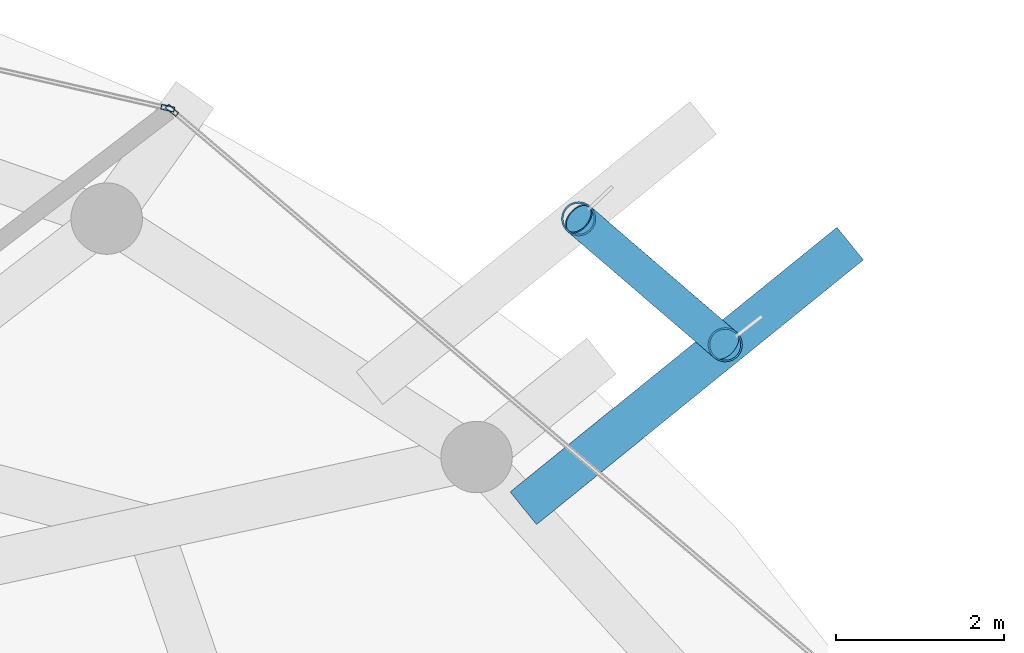
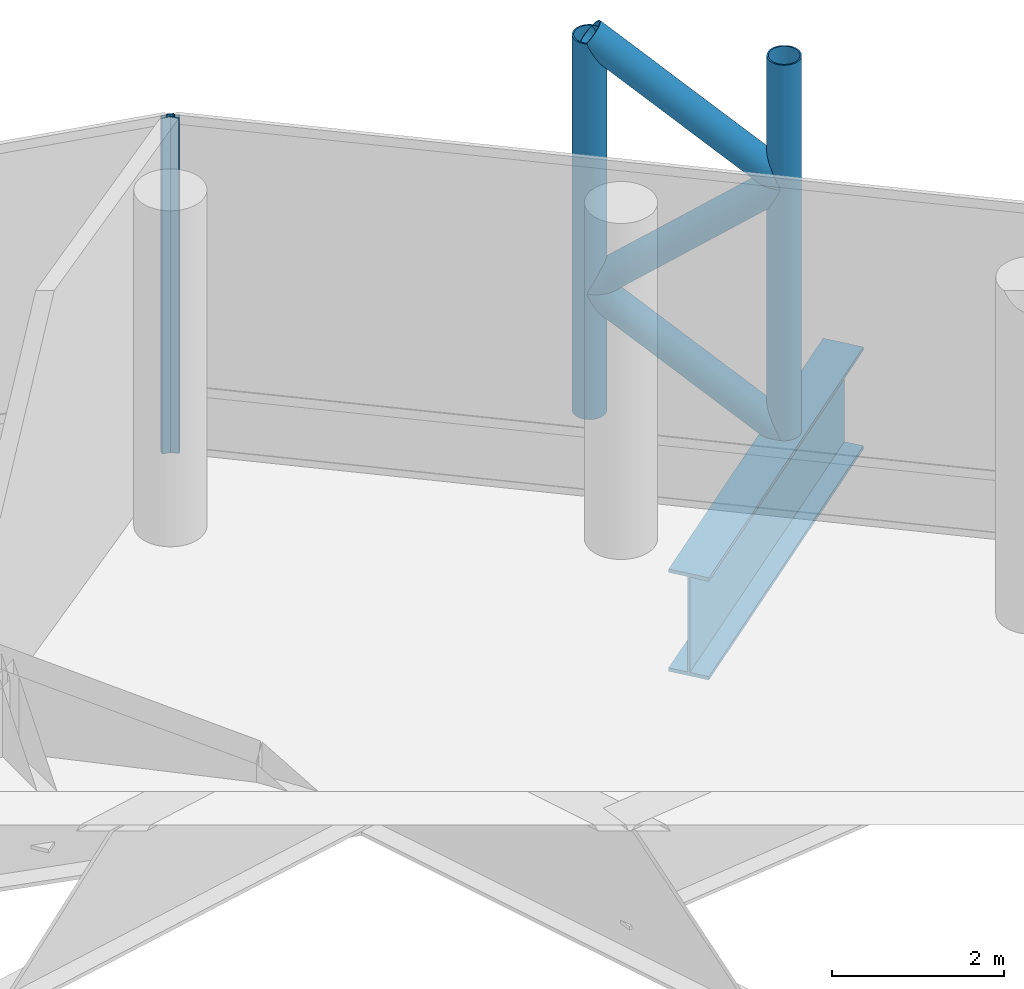
# One storey, part 22 of 31: 7 members, 1 beam, 2 elements without a shape of their own.
"""IFC4 building model written with IfcOpenShell, lengths in metres."""

from ifc_helpers import new_model, si_unit, direction, frame, origin, origin_2d, place, context, subcontext, project, spatial, hollow_rectangle, hollow_circle, i_section, extrude, material, layer, layer_set, material_profile, profile_set, type_object, element, aggregate, save


model = new_model("IFC4")

# Units and contexts
model_context = context("Model", 3, precision=1e-05, world=origin(), true_north=direction((0.0, 1.0)))
body_context = subcontext(model_context, "Body", "Model", "MODEL_VIEW")
ifc_project = project(units=[si_unit("LENGTHUNIT", "METRE"), si_unit("AREAUNIT", "SQUARE_METRE"), si_unit("VOLUMEUNIT", "CUBIC_METRE"), si_unit("PLANEANGLEUNIT", "RADIAN"), si_unit("MASSUNIT", "GRAM", prefix="KILO")], contexts=[model_context])

# Site, building, storey
site_placement = place(None, origin())
site = spatial("IfcSite", under=ifc_project, at=site_placement, CompositionType="ELEMENT")
building_placement = place(site_placement, origin())
building = spatial("IfcBuilding", under=site, at=building_placement, Name="Nuhasar Tower", CompositionType="ELEMENT")
storey_placement = place(building_placement, frame((0.0, 0.0, 203.14990234375)))
storey = spatial("IfcBuildingStorey", under=building, at=storey_placement, Name="L49", CompositionType="ELEMENT", Elevation=203.14990234375)

# Beam
ifc_material_1 = material(Name="Steel S460", Category="steel")
ifc_material_profile_1 = material_profile(ifc_material_1, i_section(OverallWidth=0.5, OverallDepth=1.449951171875, WebThickness=0.028076171875, FlangeThickness=0.050048828125, at=origin_2d()), Name="PG1450X500")
ifc_profile_set_1 = profile_set([ifc_material_profile_1], Name="Steel S460")
beam_type = type_object("IfcBeamType", Name="BM-XFER-PG1450", PredefinedType="USERDEFINED", material=ifc_profile_set_1)
beam_placement = place(storey_placement, frame((54.58203125, 38.81298828125, -1.044921875), z_axis=(0.777171012463, 0.629289454375, 0.0), x_axis=(-0.629289454375, 0.777171012463, 0.0)))
element("IfcBeam", 1, at=beam_placement, inside=storey, type_object=beam_type, Name="L49 Exoskeleton Step Transfer Girder 03", ObjectType="GIRDER", PredefinedType="USERDEFINED", context=body_context, shape_type="SweptSolid", body=[
    extrude(i_section(OverallWidth=0.5, OverallDepth=1.449951171875, WebThickness=0.028076171875, FlangeThickness=0.050048828125, at=origin_2d()), origin(), (0.0, 0.0, 1.0), 5.00390625),
])

# Curtain wall, member
ifc_material_2 = material(Name="Aluminium 6063-T6", Category="aluminium")
ifc_layer = layer(ifc_material_2, 0.239990234375)
ifc_layer_set = layer_set([ifc_layer], Name="Aluminium 6063-T6")
curtain_wall_type = type_object("IfcCurtainWallType", Name="CW-SKY-LBY", PredefinedType="NOTDEFINED", material=ifc_layer_set)
curtain_wall_1_placement = place(storey_placement, origin())
curtain_wall_1 = element("IfcCurtainWall", 2, at=curtain_wall_1_placement, inside=storey, type_object=curtain_wall_type, Name="L49 Unitised Curtain Wall 02", PredefinedType="NOTDEFINED")
ifc_material_profile_2 = material_profile(ifc_material_2, hollow_rectangle(XDim=0.06005859375, YDim=0.159912109375, WallThickness=0.0048828125, at=origin_2d()), Name="CWM-6")
ifc_profile_set_2 = profile_set([ifc_material_profile_2], Name="Aluminium 6063-T6")
member_type_1 = type_object("IfcMemberType", Name="CW-MUL-S6", PredefinedType="MULLION", material=ifc_profile_set_2)
member_1_placement = place(storey_placement, frame((50.40283203125, 43.546630859375, 0.0), z_axis=(0.0, 0.0, 1.0), x_axis=(-0.64789521578, -0.761729472562, 0.0)))
member_1 = element("IfcMember", 3, at=member_1_placement, type_object=member_type_1, Name="CW-SL mullion 2", PredefinedType="MULLION", context=body_context, shape_type="SweptSolid", body=[
    extrude(hollow_rectangle(XDim=0.06005859375, YDim=0.159912109375, WallThickness=0.0048828125, at=origin_2d()), origin(), (0.0, 0.0, 1.0), 4.760009765625),
])
aggregate(curtain_wall_1, [member_1])

curtain_wall_2_placement = place(storey_placement, origin())
curtain_wall_2 = element("IfcCurtainWall", 4, at=curtain_wall_2_placement, inside=storey, type_object=curtain_wall_type, Name="L49 Unitised Curtain Wall 03", PredefinedType="NOTDEFINED")
member_2_placement = place(storey_placement, frame((50.350830078125, 43.57275390625, 0.0), z_axis=(0.0, 0.0, 1.0), x_axis=(-0.222243176313, -0.974991266926, 0.0)))
member_2 = element("IfcMember", 5, at=member_2_placement, type_object=member_type_1, Name="CW-SL mullion 1", PredefinedType="MULLION", context=body_context, shape_type="SweptSolid", body=[
    extrude(hollow_rectangle(XDim=0.06005859375, YDim=0.159912109375, WallThickness=0.0048828125, at=origin_2d()), origin(), (0.0, 0.0, 1.0), 4.760009765625),
])
aggregate(curtain_wall_2, [member_2])

# Members
ifc_material_profile_3 = material_profile(ifc_material_1, hollow_circle(Radius=0.203125, WallThickness=0.01904296875, at=origin_2d()), Name="HSS406.4X19.1")
ifc_profile_set_3 = profile_set([ifc_material_profile_3], Name="Steel S460")
member_type_2 = type_object("IfcMemberType", Name="EXO-BRONZE-406", PredefinedType="BRACE", material=ifc_profile_set_3)
for number, where, z_axis, x_axis, name in (
    (6, (56.98388671875, 40.758056640625, -0.31982421875), (0.0, 0.0, 1.0), (1.0, 0.0, 0.0), "L49 Exoskeleton Chord Column EC-02A"),
    (7, (55.239990234375, 42.257080078125, -0.31982421875), (0.0, 0.0, 1.0), (1.0, 0.0, 0.0), "L49 Exoskeleton Chord Column EC-02B"),
):
    element("IfcMember", number, at=place(storey_placement, frame(where, z_axis=z_axis, x_axis=x_axis)), inside=storey, type_object=member_type_2, Name=name, PredefinedType="BRACE", context=body_context, shape_type="SweptSolid", body=[
        extrude(hollow_circle(Radius=0.203125, WallThickness=0.01904296875, at=origin_2d()), origin(), (0.0, 0.0, 1.0), 5.31982421875),
    ])
member_3_placement = place(storey_placement, frame((56.98388671875, 40.758056640625, -0.31982421875), z_axis=(-0.60057303577, 0.516242256702, 0.610578382439), x_axis=(-0.65185738425, -0.758341579104, 0.0)))
element("IfcMember", 8, at=member_3_placement, inside=storey, type_object=member_type_2, Name="L49 Bronze Diagrid Brace W1-02", PredefinedType="BRACE", context=body_context, shape_type="SweptSolid", body=[
    extrude(hollow_circle(Radius=0.203125, WallThickness=0.01904296875, at=origin_2d()), origin(), (0.0, 0.0, 1.0), 2.90380859375),
])
member_4_placement = place(storey_placement, frame((55.239990234375, 42.257080078125, 1.453125), z_axis=(0.60044971443, -0.516136251799, 0.610789251722), x_axis=(0.65185738425, 0.758341579104, 0.0)))
element("IfcMember", 9, at=member_4_placement, inside=storey, type_object=member_type_2, Name="L49 Bronze Diagrid Brace W2-02", PredefinedType="BRACE", context=body_context, shape_type="SweptSolid", body=[
    extrude(hollow_circle(Radius=0.203125, WallThickness=0.01904296875, at=origin_2d()), origin(), (0.0, 0.0, 1.0), 2.904296875),
])
member_5_placement = place(storey_placement, frame((56.98388671875, 40.758056640625, 3.22705078125), z_axis=(-0.60057303577, 0.516242256702, 0.610578382439), x_axis=(-0.65185738425, -0.758341579104, 0.0)))
element("IfcMember", 10, at=member_5_placement, inside=storey, type_object=member_type_2, Name="L49 Bronze Diagrid Brace W3-02", PredefinedType="BRACE", context=body_context, shape_type="SweptSolid", body=[
    extrude(hollow_circle(Radius=0.203125, WallThickness=0.01904296875, at=origin_2d()), origin(), (0.0, 0.0, 1.0), 2.90380859375),
])

save(model, "model.ifc")
